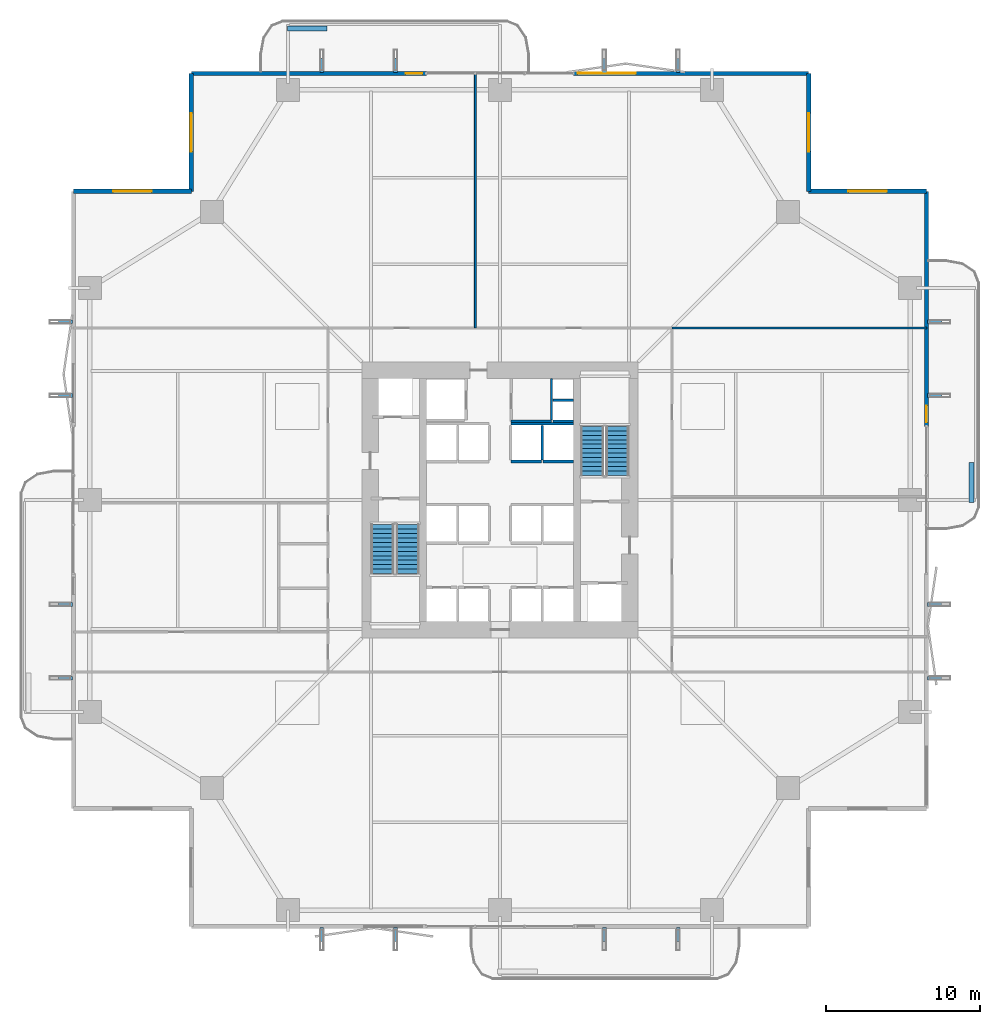
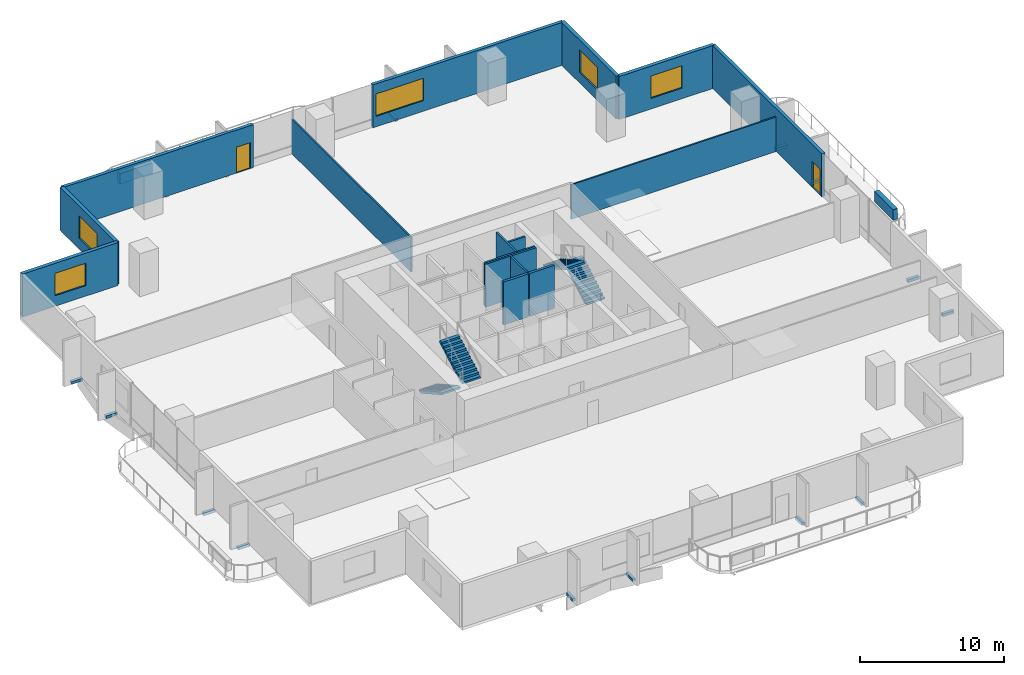
# One storey, part 19 of 23: 19 walls, 16 discrete accessories, 5 windows, 4 stair flights, 2 doors, 7 openings, 2 elements without a shape of their own.
"""IFC4 building model written with IfcOpenShell, lengths in metres."""

import ifcopenshell
import ifcopenshell.guid

model = None  # the IFC model being written
_history = None  # IfcOwnerHistory: only IFC2X3 demands one
_inside = {}  # id of a spatial element -> (the spatial element, [elements in it])
_under = {}  # id of a project, library or spatial element -> (it, [spatial elements below it])
_declared = {}  # id of a project -> (the project, [libraries it declares])
_typed = {}  # id of a type object -> (the type object, [elements of that type])
_made_of = {}  # id of a material, layer set ... -> (it, [elements and type objects made of it])


def new_model(schema):
    """Start an empty IFC model of exactly this schema.

    Asked for "IFC4X3", IfcOpenShell would pick the latest addendum, in which some entities
    have other attributes; the version numbers below select the first issue.
    IFC2X3 requires an IfcOwnerHistory on every rooted entity: one is made here for all.
    """
    global model, _history
    if schema == "IFC4X3":
        model = ifcopenshell.file(schema_version=(4, 3, 0, 0))
    else:
        model = ifcopenshell.file(schema=schema)
    _inside.clear()
    _under.clear()
    _declared.clear()
    _typed.clear()
    _made_of.clear()
    _history = None
    if model.schema == "IFC2X3":
        org = make("IfcOrganization", Name="unknown")
        user = make(
            "IfcPersonAndOrganization",
            ThePerson=make("IfcPerson", FamilyName="unknown"),
            TheOrganization=org,
        )
        app = make(
            "IfcApplication",
            ApplicationDeveloper=org,
            Version="unknown",
            ApplicationFullName="unknown",
            ApplicationIdentifier="unknown",
        )
        _history = make(
            "IfcOwnerHistory",
            OwningUser=user,
            OwningApplication=app,
            ChangeAction="ADDED",
            CreationDate=0,
        )
    return model


def make(cls, **values):
    """One entity of the class cls with the attributes given. An attribute that is None is left unset."""
    return model.create_entity(
        cls, **{name: value for name, value in values.items() if value is not None}
    )


def rooted(cls, **values):
    """An entity with a GlobalId (a new one), such as an element, a storey or a relation."""
    return make(cls, GlobalId=ifcopenshell.guid.new(), OwnerHistory=_history, **values)


def si_unit(unit_type, name, prefix=None):
    """IfcSIUnit, for example si_unit("LENGTHUNIT", "METRE", prefix="MILLI")."""
    return make("IfcSIUnit", UnitType=unit_type, Prefix=prefix, Name=name)


def assignment(units):
    """IfcUnitAssignment: the units of a project."""
    return None if units is None else make("IfcUnitAssignment", Units=units)


def point(xyz):
    """IfcCartesianPoint."""
    return None if xyz is None else make("IfcCartesianPoint", Coordinates=xyz)


def direction(xyz):
    """IfcDirection."""
    return None if xyz is None else make("IfcDirection", DirectionRatios=xyz)


def frame(location, z_axis=None, x_axis=None):
    """IfcAxis2Placement3D, a coordinate frame: its origin and axes. An axis left out is left unset."""
    return make(
        "IfcAxis2Placement3D",
        Location=point(location),
        Axis=direction(z_axis),
        RefDirection=direction(x_axis),
    )


def frame_2d(location, x_axis=None):
    """IfcAxis2Placement2D, a coordinate frame in the plane: its origin and x axis."""
    return make(
        "IfcAxis2Placement2D", Location=point(location), RefDirection=direction(x_axis)
    )


def origin():
    """The frame at (0, 0, 0) with its axes left unset."""
    return frame((0.0, 0.0, 0.0))


def origin_2d():
    """The frame at (0, 0) in the plane with its x axis left unset."""
    return frame_2d((0.0, 0.0))


def place(relative_to, where):
    """IfcLocalPlacement: puts the frame where relative to a parent placement (None: the world)."""
    return make(
        "IfcLocalPlacement", PlacementRelTo=relative_to, RelativePlacement=where
    )


def context(
    kind, dimensions, precision=None, world=None, true_north=None, identifier=None
):
    """IfcGeometricRepresentationContext, for example the 3D "Model" context."""
    return make(
        "IfcGeometricRepresentationContext",
        ContextIdentifier=identifier,
        ContextType=kind,
        CoordinateSpaceDimension=dimensions,
        Precision=precision,
        WorldCoordinateSystem=world,
        TrueNorth=true_north,
    )


def subcontext(parent, identifier, kind, view, scale=None):
    """IfcGeometricRepresentationSubContext, for example "Body" below "Model"."""
    return make(
        "IfcGeometricRepresentationSubContext",
        ContextIdentifier=identifier,
        ContextType=kind,
        ParentContext=parent,
        TargetScale=scale,
        TargetView=view,
    )


def project(units=None, contexts=None):
    """IfcProject with its units and contexts."""
    return rooted(
        "IfcProject",
        Name="project",
        RepresentationContexts=contexts,
        UnitsInContext=assignment(units),
    )


def spatial(cls, under=None, at=None, **own):
    """A site, building, storey or space (cls), placed at a placement, below another one or the project."""
    s = rooted(cls, ObjectPlacement=at, **own)
    if under is not None:
        _under.setdefault(under.id(), (under, []))[1].append(s)
    return s


def polyline(points):
    """IfcPolyline through the points."""
    return make("IfcPolyline", Points=[point(p) for p in points])


def profile(cls, at=None, kind="AREA", **sizes):
    """A parametric profile (cls). Its sizes go by their IFC names, for example OverallWidth=200.0."""
    return make(cls, ProfileType=kind, Position=at, **sizes)


def rectangle(**sizes):
    """IfcRectangleProfileDef."""
    return profile("IfcRectangleProfileDef", **sizes)


def outline(outer, holes=None, kind="AREA"):
    """IfcArbitraryClosedProfileDef: a profile drawn as a closed curve; with holes, ...WithVoids."""
    if holes is None:
        return make("IfcArbitraryClosedProfileDef", ProfileType=kind, OuterCurve=outer)
    return make(
        "IfcArbitraryProfileDefWithVoids",
        ProfileType=kind,
        OuterCurve=outer,
        InnerCurves=holes,
    )


def extrude(swept, where, along, depth):
    """IfcExtrudedAreaSolid: the profile swept, set in the frame where, extruded along a direction by depth."""
    return make(
        "IfcExtrudedAreaSolid",
        SweptArea=swept,
        Position=where,
        ExtrudedDirection=direction(along),
        Depth=depth,
    )


def shape(context_of_items, identifier, shape_type, items):
    """IfcShapeRepresentation: the items that make up one representation, for example the "Body"."""
    return make(
        "IfcShapeRepresentation",
        ContextOfItems=context_of_items,
        RepresentationIdentifier=identifier,
        RepresentationType=shape_type,
        Items=items,
    )


def material(Name=None, Category=None):
    """IfcMaterial."""
    return make("IfcMaterial", Name=Name, Category=Category)


def layer(
    of_material, thickness, ventilated=None, Name=None, Category=None, Priority=None
):
    """IfcMaterialLayer: one layer of a wall or slab, of a material (None: an air gap)."""
    return make(
        "IfcMaterialLayer",
        Material=of_material,
        LayerThickness=thickness,
        IsVentilated=ventilated,
        Name=Name,
        Category=Category,
        Priority=Priority,
    )


def layer_set(layers, Name=None):
    """IfcMaterialLayerSet."""
    return make("IfcMaterialLayerSet", MaterialLayers=layers, LayerSetName=Name)


def made_of(thing, what):
    """Note that an element or type object is made of a material, layer set ...; save() writes the relation."""
    if what is not None:
        _made_of.setdefault(what.id(), (what, []))[1].append(thing)
    return thing


def type_object(cls, material=None, **own):
    """A type object (cls), such as IfcWallType, which elements share."""
    return made_of(rooted(cls, **own), material)


def element(
    cls,
    number,
    at=None,
    inside=None,
    cuts=None,
    type_object=None,
    material=None,
    context=None,
    identifier="Body",
    shape_type=None,
    held_by="IfcProductDefinitionShape",
    body=None,
    shapes=None,
    **own,
):
    """One element of the class cls, such as IfcWall. Its Tag is "e" and its number.

    at: its placement. inside: the storey or other place that contains it. cuts: it is an
    opening in that element (IfcRelVoidsElement). A single representation is given by context,
    identifier, shape_type and body (its items); several are given by shapes. held_by: the class
    of the entity that holds the representations. save() writes the other relations.
    """
    e = rooted(cls, Tag="e%d" % number, ObjectPlacement=at, **own)
    if body is not None:
        shapes = [shape(context, identifier, shape_type, body)]
    if shapes is not None:
        e.Representation = make(held_by, Representations=shapes)
    if inside is not None:
        _inside.setdefault(inside.id(), (inside, []))[1].append(e)
    if cuts is not None:
        rooted(
            "IfcRelVoidsElement", RelatingBuildingElement=cuts, RelatedOpeningElement=e
        )
    if type_object is not None:
        _typed.setdefault(type_object.id(), (type_object, []))[1].append(e)
    return made_of(e, material)


def fill(opening, filler):
    """IfcRelFillsElement: the door or window that sits in an opening."""
    return rooted(
        "IfcRelFillsElement",
        RelatingOpeningElement=opening,
        RelatedBuildingElement=filler,
    )


def aggregate(whole, parts):
    """IfcRelAggregates: a whole, such as a stair, and the parts it consists of."""
    return rooted("IfcRelAggregates", RelatingObject=whole, RelatedObjects=parts)


def save(model, path):
    """Write the relations noted so far, then the file.

    IfcRelAggregates (storeys below a building ...), IfcRelContainedInSpatialStructure (elements
    in a storey), IfcRelDefinesByType, IfcRelAssociatesMaterial and IfcRelDeclares: one each for
    every whole, place, type object, material and project.
    """
    for whole, parts in _under.values():
        aggregate(whole, parts)
    for where, things in _inside.values():
        rooted(
            "IfcRelContainedInSpatialStructure",
            RelatedElements=things,
            RelatingStructure=where,
        )
    for kind, things in _typed.values():
        rooted("IfcRelDefinesByType", RelatedObjects=things, RelatingType=kind)
    for what, things in _made_of.values():
        rooted("IfcRelAssociatesMaterial", RelatedObjects=things, RelatingMaterial=what)
    for by, libraries in _declared.values():
        rooted("IfcRelDeclares", RelatingContext=by, RelatedDefinitions=libraries)
    model.write(path)


model = new_model("IFC4")

# Units and contexts
model_context = context("Model", 3, precision=1e-05, world=origin(), true_north=direction((0.0, 1.0)))
body_context = subcontext(model_context, "Body", "Model", "MODEL_VIEW")
ifc_project = project(units=[si_unit("LENGTHUNIT", "METRE"), si_unit("AREAUNIT", "SQUARE_METRE"), si_unit("VOLUMEUNIT", "CUBIC_METRE"), si_unit("PLANEANGLEUNIT", "RADIAN"), si_unit("MASSUNIT", "GRAM", prefix="KILO")], contexts=[model_context])

# Site, building, storey
site_placement = place(None, origin())
site = spatial("IfcSite", under=ifc_project, at=site_placement, CompositionType="ELEMENT")
building_placement = place(site_placement, origin())
building = spatial("IfcBuilding", under=site, at=building_placement, Name="Belovzor Exchange Tower", CompositionType="ELEMENT")
storey_placement = place(building_placement, frame((0.0, 0.0, 84.60009765625)))
storey = spatial("IfcBuildingStorey", under=building, at=storey_placement, Name="L20", CompositionType="ELEMENT", Elevation=84.60009765625)

# Walls
ifc_material_1 = material(Name="Acoustic Plasterboard on Galvanised Studs", Category="gypsum")
ifc_layer_1 = layer(ifc_material_1, 0.1201171875)
ifc_layer_set_1 = layer_set([ifc_layer_1], Name="Acoustic Plasterboard on Galvanised Studs")
wall_type_1 = type_object("IfcWallType", Name="Acoustic Double-Stud Partition Wall 120", PredefinedType="PARTITIONING", material=ifc_layer_set_1)
for number, where, z_axis, x_axis, name in (
    (1, (27.197998046875, 40.0, 0.0), (0.0, 0.0, 1.0), (0.0, 1.0, 0.0), "W-P120 Partition Wall W-L20-NDIV-1"),
    (2, (40.0, 40.0, 0.0), (0.0, 0.0, 1.0), (1.0, 0.0, 0.0), "W-P120 Partition Wall W-L20-END-NE"),
):
    element("IfcWall", number, at=place(storey_placement, frame(where, z_axis=z_axis, x_axis=x_axis)), inside=storey, type_object=wall_type_1, Name=name, PredefinedType="PARTITIONING", context=body_context, shape_type="SweptSolid", body=[
        extrude(rectangle(XDim=16.570068359375, YDim=0.1201171875, at=frame_2d((8.28515625, 0.0))), origin(), (0.0, 0.0, 1.0), 2.934814453125),
    ])
ifc_material_2 = material(Name="Fire-Rated Gypsum Block and Mineral Wool", Category="gypsum")
ifc_layer_2 = layer(ifc_material_2, 0.14990234375)
ifc_layer_set_2 = layer_set([ifc_layer_2], Name="Fire-Rated Gypsum Block and Mineral Wool")
wall_type_2 = type_object("IfcWallType", Name="Fire-Rated Gypsum Block Corridor Wall 150", PredefinedType="PARTITIONING", material=ifc_layer_set_2)
wall_1_placement = place(storey_placement, frame((29.52490234375, 33.925048828125, 0.0), z_axis=(0.0, 0.0, 1.0), x_axis=(1.0, 0.0, 0.0)))
element("IfcWall", 3, at=wall_1_placement, inside=storey, type_object=wall_type_2, Name="W-P150 Partition Wall W-CRV-L20-S", PredefinedType="PARTITIONING", context=body_context, shape_type="SweptSolid", body=[
    extrude(rectangle(XDim=2.625, YDim=0.14990234375, at=frame_2d((1.3125, 0.0))), origin(), (0.0, 0.0, 1.0), 3.64990234375),
])

# Wall, opening, window
ifc_material_3 = material(Name="Precast concrete C40/50", Category="concrete")
ifc_layer_3 = layer(ifc_material_3, 0.280029296875)
ifc_layer_set_3 = layer_set([ifc_layer_3], Name="Precast concrete C40/50")
wall_type_3 = type_object("IfcWallType", Name="Precast Concrete Notched Corner Frame Wall 280", PredefinedType="SOLIDWALL", material=ifc_layer_set_3)
wall_2_placement = place(storey_placement, frame((1.030029296875, 48.89990234375, 0.0), z_axis=(0.0, 0.0, 1.0), x_axis=(1.0, 0.0, 0.0)))
wall_2 = element("IfcWall", 4, at=wall_2_placement, inside=storey, type_object=wall_type_3, Name="W-CRN280 Precast Concrete Notched Corner Frame Wall 280 L20", PredefinedType="SOLIDWALL", context=body_context, shape_type="SweptSolid", body=[
    extrude(rectangle(XDim=7.669921875, YDim=0.280029296875, at=frame_2d((3.8349609375, 0.0))), origin(), (0.0, 0.0, 1.0), 3.64990234375),
])
opening_1_placement = place(wall_2_placement, frame((2.5849609375, 0.0, 0.89990234375)))
opening_1 = element("IfcOpeningElement", 5, at=opening_1_placement, cuts=wall_2, Name="Opening WN-CRN250", PredefinedType="OPENING", context=body_context, shape_type="SweptSolid", body=[
    extrude(rectangle(XDim=2.5, YDim=1.89990234375, at=frame_2d((1.25, 0.949951171875))), frame((0.0, 0.14990234375, 0.0), z_axis=(0.0, -1.0, 0.0), x_axis=(1.0, 0.0, 0.0)), (0.0, 0.0, 1.0), 0.300048828125),
])
ifc_material_4 = material(Name="Thermally Broken Aluminium and Triple Glazing", Category="aluminium")
window_type_1 = type_object("IfcWindowType", Name="Streamline Moderne Corner Wrap Ribbon Window 2500x1900", PartitioningType="SINGLE_PANEL", PredefinedType="WINDOW", material=ifc_material_4)
window_1_placement = place(opening_1_placement, origin())
window_1 = element("IfcWindow", 6, at=window_1_placement, inside=storey, type_object=window_type_1, Name="WN-CRN250 Streamline Moderne Corner Wrap Ribbon Window 2500x1900", OverallHeight=1.89990234375, OverallWidth=2.5, PartitioningType="SINGLE_PANEL", PredefinedType="WINDOW", context=body_context, shape_type="SweptSolid", body=[
    extrude(rectangle(XDim=2.5, YDim=1.89990234375, at=frame_2d((1.25, 0.949951171875))), frame((0.0, 0.030029296875, 0.0), z_axis=(0.0, -1.0, 0.0), x_axis=(1.0, 0.0, 0.0)), (0.0, 0.0, 1.0), 0.06005859375),
])
fill(opening_1, window_1)

wall_3_placement = place(storey_placement, frame((8.699951171875, 48.89990234375, 0.0), z_axis=(0.0, 0.0, 1.0), x_axis=(0.0, 1.0, 0.0)))
wall_3 = element("IfcWall", 7, at=wall_3_placement, inside=storey, type_object=wall_type_3, Name="W-CRN280 Precast Concrete Notched Corner Frame Wall 280 L20", PredefinedType="SOLIDWALL", context=body_context, shape_type="SweptSolid", body=[
    extrude(rectangle(XDim=7.670166015625, YDim=0.280029296875, at=frame_2d((3.8349609375, 0.0))), origin(), (0.0, 0.0, 1.0), 3.64990234375),
])
opening_2_placement = place(wall_3_placement, frame((2.5849609375, 0.0, 0.89990234375)))
opening_2 = element("IfcOpeningElement", 8, at=opening_2_placement, cuts=wall_3, Name="Opening WN-CRN250", PredefinedType="OPENING", context=body_context, shape_type="SweptSolid", body=[
    extrude(rectangle(XDim=2.5, YDim=1.89990234375, at=frame_2d((1.25, 0.949951171875))), frame((0.0, 0.14990234375, 0.0), z_axis=(0.0, -1.0, 0.0), x_axis=(1.0, 0.0, 0.0)), (0.0, 0.0, 1.0), 0.300048828125),
])
window_2_placement = place(opening_2_placement, origin())
window_2 = element("IfcWindow", 9, at=window_2_placement, inside=storey, type_object=window_type_1, Name="WN-CRN250 Streamline Moderne Corner Wrap Ribbon Window 2500x1900", OverallHeight=1.89990234375, OverallWidth=2.5, PartitioningType="SINGLE_PANEL", PredefinedType="WINDOW", context=body_context, shape_type="SweptSolid", body=[
    extrude(rectangle(XDim=2.5, YDim=1.89990234375, at=frame_2d((1.25, 0.949951171875))), frame((0.0, 0.030029296875, 0.0), z_axis=(0.0, -1.0, 0.0), x_axis=(1.0, 0.0, 0.0)), (0.0, 0.0, 1.0), 0.06005859375),
])
fill(opening_2, window_2)

wall_4_placement = place(storey_placement, frame((48.89990234375, 56.570068359375, 0.0), z_axis=(0.0, 0.0, 1.0), x_axis=(0.0, -1.0, 0.0)))
wall_4 = element("IfcWall", 10, at=wall_4_placement, inside=storey, type_object=wall_type_3, Name="W-CRN280 Precast Concrete Notched Corner Frame Wall 280 L20", PredefinedType="SOLIDWALL", context=body_context, shape_type="SweptSolid", body=[
    extrude(rectangle(XDim=7.670166015625, YDim=0.280029296875, at=frame_2d((3.8349609375, 0.0))), origin(), (0.0, 0.0, 1.0), 3.64990234375),
])
opening_3_placement = place(wall_4_placement, frame((2.5849609375, 0.0, 0.89990234375)))
opening_3 = element("IfcOpeningElement", 11, at=opening_3_placement, cuts=wall_4, Name="Opening WN-CRN250", PredefinedType="OPENING", context=body_context, shape_type="SweptSolid", body=[
    extrude(rectangle(XDim=2.5, YDim=1.89990234375, at=frame_2d((1.25, 0.949951171875))), frame((0.0, 0.14990234375, 0.0), z_axis=(0.0, -1.0, 0.0), x_axis=(1.0, 0.0, 0.0)), (0.0, 0.0, 1.0), 0.300048828125),
])
window_3_placement = place(opening_3_placement, origin())
window_3 = element("IfcWindow", 12, at=window_3_placement, inside=storey, type_object=window_type_1, Name="WN-CRN250 Streamline Moderne Corner Wrap Ribbon Window 2500x1900", OverallHeight=1.89990234375, OverallWidth=2.5, PartitioningType="SINGLE_PANEL", PredefinedType="WINDOW", context=body_context, shape_type="SweptSolid", body=[
    extrude(rectangle(XDim=2.5, YDim=1.89990234375, at=frame_2d((1.25, 0.949951171875))), frame((0.0, 0.030029296875, 0.0), z_axis=(0.0, -1.0, 0.0), x_axis=(1.0, 0.0, 0.0)), (0.0, 0.0, 1.0), 0.06005859375),
])
fill(opening_3, window_3)

wall_5_placement = place(storey_placement, frame((48.89990234375, 48.89990234375, 0.0), z_axis=(0.0, 0.0, 1.0), x_axis=(1.0, 0.0, 0.0)))
wall_5 = element("IfcWall", 13, at=wall_5_placement, inside=storey, type_object=wall_type_3, Name="W-CRN280 Precast Concrete Notched Corner Frame Wall 280 L20", PredefinedType="SOLIDWALL", context=body_context, shape_type="SweptSolid", body=[
    extrude(rectangle(XDim=7.670166015625, YDim=0.280029296875, at=frame_2d((3.8349609375, 0.0))), origin(), (0.0, 0.0, 1.0), 3.64990234375),
])
opening_4_placement = place(wall_5_placement, frame((2.5849609375, 0.0, 0.89990234375)))
opening_4 = element("IfcOpeningElement", 14, at=opening_4_placement, cuts=wall_5, Name="Opening WN-CRN250", PredefinedType="OPENING", context=body_context, shape_type="SweptSolid", body=[
    extrude(rectangle(XDim=2.5, YDim=1.89990234375, at=frame_2d((1.25, 0.949951171875))), frame((0.0, 0.14990234375, 0.0), z_axis=(0.0, -1.0, 0.0), x_axis=(1.0, 0.0, 0.0)), (0.0, 0.0, 1.0), 0.300048828125),
])
window_4_placement = place(opening_4_placement, origin())
window_4 = element("IfcWindow", 15, at=window_4_placement, inside=storey, type_object=window_type_1, Name="WN-CRN250 Streamline Moderne Corner Wrap Ribbon Window 2500x1900", OverallHeight=1.89990234375, OverallWidth=2.5, PartitioningType="SINGLE_PANEL", PredefinedType="WINDOW", context=body_context, shape_type="SweptSolid", body=[
    extrude(rectangle(XDim=2.5, YDim=1.89990234375, at=frame_2d((1.25, 0.949951171875))), frame((0.0, 0.030029296875, 0.0), z_axis=(0.0, -1.0, 0.0), x_axis=(1.0, 0.0, 0.0)), (0.0, 0.0, 1.0), 0.06005859375),
])
fill(opening_4, window_4)

# Wall, opening, door
ifc_material_5 = material(Name="Precast concrete C40/50", Category="concrete")
ifc_layer_4 = layer(ifc_material_5, 0.260009765625)
ifc_layer_set_4 = layer_set([ifc_layer_4], Name="Precast concrete C40/50")
wall_type_4 = type_object("IfcWallType", Name="Precast Concrete Perimeter Loggia Frame Wall 260", PredefinedType="SOLIDWALL", material=ifc_layer_set_4)
wall_6_placement = place(storey_placement, frame((8.699951171875, 56.570068359375, 0.0), z_axis=(0.0, 0.0, 1.0), x_axis=(1.0, 0.0, 0.0)))
wall_6 = element("IfcWall", 16, at=wall_6_placement, inside=storey, type_object=wall_type_4, Name="W-EXT260 Precast Concrete Perimeter Loggia Frame Wall 260 L20", PredefinedType="SOLIDWALL", context=body_context, shape_type="SweptSolid", body=[
    extrude(rectangle(XDim=15.300048828125, YDim=0.260009765625, at=frame_2d((7.64990234375, 0.0))), origin(), (0.0, 0.0, 1.0), 3.64990234375),
])
opening_5_placement = place(wall_6_placement, frame((13.949951171875, 0.0, 0.0)))
opening_5 = element("IfcOpeningElement", 17, at=opening_5_placement, cuts=wall_6, Name="Opening D-BAL110", PredefinedType="OPENING", context=body_context, shape_type="SweptSolid", body=[
    extrude(rectangle(XDim=1.10009765625, YDim=2.199951171875, at=frame_2d((0.550048828125, 1.10009765625))), frame((0.0, 0.139892578125, 0.0), z_axis=(0.0, -1.0, 0.0), x_axis=(1.0, 0.0, 0.0)), (0.0, 0.0, 1.0), 0.280029296875),
])
ifc_material_6 = material(Name="Thermally Broken Anodised Aluminium and Laminated Glass", Category="aluminium")
door_type = type_object("IfcDoorType", Name="Planted Loggia Terrace Glazed Door 1100x2200", OperationType="SINGLE_SWING_LEFT", PredefinedType="DOOR", material=ifc_material_6)
door_1_placement = place(opening_5_placement, origin())
door_1 = element("IfcDoor", 18, at=door_1_placement, inside=storey, type_object=door_type, Name="D-BAL110 Balcony Terrace Door L20 N", OperationType="SINGLE_SWING_RIGHT", OverallHeight=2.199951171875, OverallWidth=1.10009765625, PredefinedType="DOOR", context=body_context, shape_type="SweptSolid", body=[
    extrude(rectangle(XDim=1.10009765625, YDim=2.199951171875, at=frame_2d((0.550048828125, 1.10009765625))), frame((0.0, 0.02490234375, 0.0), z_axis=(0.0, -1.0, 0.0), x_axis=(1.0, 0.0, 0.0)), (0.0, 0.0, 1.0), 0.050048828125),
])
fill(opening_5, door_1)

# Wall, opening, window
wall_7_placement = place(storey_placement, frame((33.60009765625, 56.570068359375, 0.0), z_axis=(0.0, 0.0, 1.0), x_axis=(1.0, 0.0, 0.0)))
wall_7 = element("IfcWall", 19, at=wall_7_placement, inside=storey, type_object=wall_type_4, Name="W-EXT260 Precast Concrete Perimeter Loggia Frame Wall 260 L20", PredefinedType="SOLIDWALL", context=body_context, shape_type="SweptSolid", body=[
    extrude(rectangle(XDim=15.2998046875, YDim=0.260009765625, at=frame_2d((7.64990234375, 0.0))), origin(), (0.0, 0.0, 1.0), 3.64990234375),
])
opening_6_placement = place(wall_7_placement, frame((0.25, 0.0, 0.89990234375)))
opening_6 = element("IfcOpeningElement", 20, at=opening_6_placement, cuts=wall_7, Name="Opening WN-RIB380", PredefinedType="OPENING", context=body_context, shape_type="SweptSolid", body=[
    extrude(rectangle(XDim=3.800048828125, YDim=1.89990234375, at=frame_2d((1.89990234375, 0.949951171875))), frame((0.0, 0.139892578125, 0.0), z_axis=(0.0, -1.0, 0.0), x_axis=(1.0, 0.0, 0.0)), (0.0, 0.0, 1.0), 0.280029296875),
])
ifc_material_7 = material(Name="Thermally Broken Aluminium and Triple Glazing", Category="aluminium")
window_type_2 = type_object("IfcWindowType", Name="Streamline Moderne Horizontal Ribbon Window 3800x1900", PartitioningType="SINGLE_PANEL", PredefinedType="WINDOW", material=ifc_material_7)
window_5_placement = place(opening_6_placement, origin())
window_5 = element("IfcWindow", 21, at=window_5_placement, inside=storey, type_object=window_type_2, Name="WN-RIB380 Streamline Moderne Horizontal Ribbon Window 3800x1900", OverallHeight=1.89990234375, OverallWidth=3.800048828125, PartitioningType="SINGLE_PANEL", PredefinedType="WINDOW", context=body_context, shape_type="SweptSolid", body=[
    extrude(rectangle(XDim=3.800048828125, YDim=1.89990234375, at=frame_2d((1.89990234375, 0.949951171875))), frame((0.0, 0.030029296875, 0.0), z_axis=(0.0, -1.0, 0.0), x_axis=(1.0, 0.0, 0.0)), (0.0, 0.0, 1.0), 0.06005859375),
])
fill(opening_6, window_5)

# Wall, opening, door
wall_8_placement = place(storey_placement, frame((56.570068359375, 48.89990234375, 0.0), z_axis=(0.0, 0.0, 1.0), x_axis=(0.0, -1.0, 0.0)))
wall_8 = element("IfcWall", 22, at=wall_8_placement, inside=storey, type_object=wall_type_4, Name="W-EXT260 Precast Concrete Perimeter Loggia Frame Wall 260 L20", PredefinedType="SOLIDWALL", context=body_context, shape_type="SweptSolid", body=[
    extrude(rectangle(XDim=15.2998046875, YDim=0.260009765625, at=frame_2d((7.64990234375, 0.0))), origin(), (0.0, 0.0, 1.0), 3.64990234375),
])
opening_7_placement = place(wall_8_placement, frame((13.949951171875, 0.0, 0.0)))
opening_7 = element("IfcOpeningElement", 23, at=opening_7_placement, cuts=wall_8, Name="Opening D-BAL110", PredefinedType="OPENING", context=body_context, shape_type="SweptSolid", body=[
    extrude(rectangle(XDim=1.10009765625, YDim=2.199951171875, at=frame_2d((0.550048828125, 1.10009765625))), frame((0.0, 0.139892578125, 0.0), z_axis=(0.0, -1.0, 0.0), x_axis=(1.0, 0.0, 0.0)), (0.0, 0.0, 1.0), 0.280029296875),
])
door_2_placement = place(opening_7_placement, origin())
door_2 = element("IfcDoor", 24, at=door_2_placement, inside=storey, type_object=door_type, Name="D-BAL110 Balcony Terrace Door L20 E", OperationType="SINGLE_SWING_LEFT", OverallHeight=2.199951171875, OverallWidth=1.10009765625, PredefinedType="DOOR", context=body_context, shape_type="SweptSolid", body=[
    extrude(rectangle(XDim=1.10009765625, YDim=2.199951171875, at=frame_2d((0.550048828125, 1.10009765625))), frame((0.0, 0.02490234375, 0.0), z_axis=(0.0, -1.0, 0.0), x_axis=(1.0, 0.0, 0.0)), (0.0, 0.0, 1.0), 0.050048828125),
])
fill(opening_7, door_2)

# Walls
ifc_material_8 = material(Name="Precast concrete C40/50", Category="concrete")
ifc_layer_5 = layer(ifc_material_8, 0.35009765625)
ifc_layer_set_5 = layer_set([ifc_layer_5], Name="Precast concrete C40/50")
wall_type_5 = type_object("IfcWallType", Name="Precast Concrete Structural Tree Planter Trough 350", PredefinedType="PARAPET", material=ifc_layer_set_5)
for number, where, z_axis, x_axis, name in (
    (25, (14.949951171875, 59.5, 0.0), (0.0, 0.0, 1.0), (1.0, 0.0, 0.0), "PT-350 Precast Concrete Structural Tree Planter Trough 350 L20"),
    (26, (59.5, 28.64990234375, 0.0), (0.0, 0.0, 1.0), (0.0, 1.0, 0.0), "PT-350 Precast Concrete Structural Tree Planter Trough 350 L20"),
):
    element("IfcWall", number, at=place(storey_placement, frame(where, z_axis=z_axis, x_axis=x_axis)), inside=storey, type_object=wall_type_5, Name=name, PredefinedType="PARAPET", context=body_context, shape_type="SweptSolid", body=[
        extrude(rectangle(XDim=2.60009765625, YDim=0.35009765625, at=frame_2d((1.300048828125, 0.0))), origin(), (0.0, 0.0, 1.0), 0.89990234375),
    ])
ifc_material_9 = material(Name="Concrete C50/60", Category="concrete")
ifc_layer_6 = layer(ifc_material_9, 0.14990234375)
ifc_layer_set_6 = layer_set([ifc_layer_6], Name="Concrete C50/60")
wall_type_6 = type_object("IfcWallType", Name="Reinforced Concrete Core Riser Shear Wall 150", PredefinedType="SHEAR", material=ifc_layer_set_6)
wall_9_placement = place(storey_placement, frame((32.14990234375, 34.0, 0.0), z_axis=(0.0, 0.0, 1.0), x_axis=(0.0, 1.0, 0.0)))
element("IfcWall", 27, at=wall_9_placement, inside=storey, type_object=wall_type_6, Name="W-C150S Core Shaft Wall W-RSR-L20-E", PredefinedType="SHEAR", context=body_context, shape_type="SweptSolid", body=[
    extrude(rectangle(XDim=2.699951171875, YDim=0.14990234375, at=frame_2d((1.35009765625, 0.0))), origin(), (0.0, 0.0, 1.0), 3.64990234375),
])
for number, where, z_axis, x_axis, name in (
    (28, (32.25, 33.925048828125, 0.0), (0.0, 0.0, 1.0), (1.0, 0.0, 0.0), "W-C150S Core Shaft Wall W-RSR-L20-S"),
    (29, (32.25, 35.300048828125, 0.0), (0.0, 0.0, 1.0), (1.0, 0.0, 0.0), "W-C150S Core Shaft Wall W-RSR-L20-M"),
):
    element("IfcWall", number, at=place(storey_placement, frame(where, z_axis=z_axis, x_axis=x_axis)), inside=storey, type_object=wall_type_6, Name=name, PredefinedType="SHEAR", context=body_context, shape_type="SweptSolid", body=[
        extrude(rectangle(XDim=1.330078125, YDim=0.14990234375, at=frame_2d((0.6650390625, 0.0))), origin(), (0.0, 0.0, 1.0), 3.64990234375),
    ])
wall_10_placement = place(storey_placement, frame((29.5, 33.760009765625, 0.0), z_axis=(0.0, 0.0, 1.0), x_axis=(1.0, 0.0, 0.0)))
element("IfcWall", 30, at=wall_10_placement, inside=storey, type_object=wall_type_6, Name="W-C150S Core Shaft Wall W-SHB-L20-PLH-NE", PredefinedType="SHEAR", context=body_context, shape_type="SweptSolid", body=[
    extrude(rectangle(XDim=4.080078125, YDim=0.14990234375, at=frame_2d((2.0400390625, 0.0))), origin(), (0.0, 0.0, 1.0), 3.64990234375),
])
wall_11_placement = place(storey_placement, frame((31.550048828125, 31.419921875, 0.0), z_axis=(0.0, 0.0, 1.0), x_axis=(0.0, 1.0, 0.0)))
element("IfcWall", 31, at=wall_11_placement, inside=storey, type_object=wall_type_6, Name="W-C150S Core Shaft Wall W-SHD-L20-PLH-4", PredefinedType="SHEAR", context=body_context, shape_type="SweptSolid", body=[
    extrude(rectangle(XDim=2.239990234375, YDim=0.14990234375, at=frame_2d((1.1201171875, 0.0))), origin(), (0.0, 0.0, 1.0), 3.64990234375),
])
ifc_material_10 = material(Name="Concrete C50/60", Category="concrete")
ifc_layer_7 = layer(ifc_material_10, 0.199951171875)
ifc_layer_set_7 = layer_set([ifc_layer_7], Name="Concrete C50/60")
wall_type_7 = type_object("IfcWallType", Name="Reinforced Concrete Core Shaft Shear Wall 200", PredefinedType="SHEAR", material=ifc_layer_set_7)
for number, where, z_axis, x_axis, name in (
    (32, (29.5, 31.300048828125, 0.0), (0.0, 0.0, 1.0), (1.0, 0.0, 0.0), "W-C200S Core Shaft Wall W-SH-L20-PL-H3"),
    (33, (31.60009765625, 31.300048828125, 0.0), (0.0, 0.0, 1.0), (1.0, 0.0, 0.0), "W-C200S Core Shaft Wall W-SH-L20-PL-H4"),
):
    element("IfcWall", number, at=place(storey_placement, frame(where, z_axis=z_axis, x_axis=x_axis)), inside=storey, type_object=wall_type_7, Name=name, PredefinedType="SHEAR", context=body_context, shape_type="SweptSolid", body=[
        extrude(rectangle(XDim=2.0, YDim=0.199951171875, at=frame_2d((1.0, 0.0))), origin(), (0.0, 0.0, 1.0), 3.64990234375),
    ])

# Stair, stair flights
ifc_material_11 = material(Name="Concrete C40/50", Category="concrete")
stair_type = type_object("IfcStairType", Name="Reinforced Concrete Dogleg Escape Stair 1350", PredefinedType="HALF_TURN_STAIR", material=ifc_material_11)
stair_1_placement = place(storey_placement, origin())
stair_1 = element("IfcStair", 34, at=stair_1_placement, inside=storey, type_object=stair_type, Name="L20 ST-1", PredefinedType="HALF_TURN_STAIR")
ifc_material_12 = material(Name="Concrete C40/50", Category="concrete")
stair_flight_type = type_object("IfcStairFlightType", Name="Reinforced Concrete Stair Flight 1350", PredefinedType="STRAIGHT", material=ifc_material_12)
stair_flight_1_placement = place(storey_placement, frame((21.14990234375, 27.199951171875, 0.0), z_axis=(0.0, 0.0, 1.0), x_axis=(0.0, -1.0, 0.0)))
stair_flight_1 = element("IfcStairFlight", 35, at=stair_flight_1_placement, type_object=stair_flight_type, Name="ST-1 flight 1", NumberOfRisers=12, NumberOfTreads=11, PredefinedType="STRAIGHT", RiserHeight=0.1625, TreadLength=0.29, context=body_context, shape_type="SweptSolid", body=[
    extrude(outline(polyline([(0.0, 0.0), (0.0, 0.16259765625), (0.2900390625, 0.16259765625), (0.2900390625, 0.324951171875), (0.580078125, 0.324951171875), (0.580078125, 0.487548828125), (0.8701171875, 0.487548828125), (0.8701171875, 0.64990234375), (1.159912109375, 0.64990234375), (1.159912109375, 0.8125), (1.449951171875, 0.8125), (1.449951171875, 0.97509765625), (1.739990234375, 0.97509765625), (1.739990234375, 1.137451171875), (2.030029296875, 1.137451171875), (2.030029296875, 1.300048828125), (2.320068359375, 1.300048828125), (2.320068359375, 1.46240234375), (2.610107421875, 1.46240234375), (2.610107421875, 1.625), (2.89990234375, 1.625), (2.89990234375, 1.78759765625), (3.18994140625, 1.78759765625), (3.18994140625, 1.949951171875), (3.18994140625, 1.61572265625), (0.306640625, 0.0), (0.0, 0.0)])), frame((0.0, 0.75, 0.0), z_axis=(0.0, -1.0, 0.0), x_axis=(1.0, 0.0, 0.0)), (0.0, 0.0, 1.0), 1.5),
])
stair_flight_2_placement = place(storey_placement, frame((22.800048828125, 24.010009765625, 1.949951171875), z_axis=(0.0, 0.0, 1.0), x_axis=(0.0, 1.0, 0.0)))
stair_flight_2 = element("IfcStairFlight", 36, at=stair_flight_2_placement, type_object=stair_flight_type, Name="ST-1 flight 2", NumberOfRisers=12, NumberOfTreads=11, PredefinedType="STRAIGHT", RiserHeight=0.1625, TreadLength=0.29, context=body_context, shape_type="SweptSolid", body=[
    extrude(outline(polyline([(0.0, 0.0), (0.0, 0.16259765625), (0.2900390625, 0.16259765625), (0.2900390625, 0.324951171875), (0.580078125, 0.324951171875), (0.580078125, 0.487548828125), (0.8701171875, 0.487548828125), (0.8701171875, 0.64990234375), (1.159912109375, 0.64990234375), (1.159912109375, 0.8125), (1.449951171875, 0.8125), (1.449951171875, 0.97509765625), (1.739990234375, 0.97509765625), (1.739990234375, 1.137451171875), (2.030029296875, 1.137451171875), (2.030029296875, 1.300048828125), (2.320068359375, 1.300048828125), (2.320068359375, 1.46240234375), (2.610107421875, 1.46240234375), (2.610107421875, 1.625), (2.89990234375, 1.625), (2.89990234375, 1.78759765625), (3.18994140625, 1.78759765625), (3.18994140625, 1.949951171875), (3.18994140625, 1.61572265625), (0.306640625, 0.0), (0.0, 0.0)])), frame((0.0, 0.75, 0.0), z_axis=(0.0, -1.0, 0.0), x_axis=(1.0, 0.0, 0.0)), (0.0, 0.0, 1.0), 1.5),
])
aggregate(stair_1, [stair_flight_1, stair_flight_2])

stair_2_placement = place(storey_placement, origin())
stair_2 = element("IfcStair", 37, at=stair_2_placement, inside=storey, type_object=stair_type, Name="L20 ST-2", PredefinedType="HALF_TURN_STAIR")
stair_flight_3_placement = place(storey_placement, frame((36.449951171875, 30.39990234375, 0.0), z_axis=(0.0, 0.0, 1.0), x_axis=(0.0, 1.0, 0.0)))
stair_flight_3 = element("IfcStairFlight", 38, at=stair_flight_3_placement, type_object=stair_flight_type, Name="ST-2 flight 1", NumberOfRisers=12, NumberOfTreads=11, PredefinedType="STRAIGHT", RiserHeight=0.1625, TreadLength=0.29, context=body_context, shape_type="SweptSolid", body=[
    extrude(outline(polyline([(0.0, 0.0), (0.0, 0.16259765625), (0.2900390625, 0.16259765625), (0.2900390625, 0.324951171875), (0.580078125, 0.324951171875), (0.580078125, 0.487548828125), (0.8701171875, 0.487548828125), (0.8701171875, 0.64990234375), (1.159912109375, 0.64990234375), (1.159912109375, 0.8125), (1.449951171875, 0.8125), (1.449951171875, 0.97509765625), (1.739990234375, 0.97509765625), (1.739990234375, 1.137451171875), (2.030029296875, 1.137451171875), (2.030029296875, 1.300048828125), (2.320068359375, 1.300048828125), (2.320068359375, 1.46240234375), (2.610107421875, 1.46240234375), (2.610107421875, 1.625), (2.89990234375, 1.625), (2.89990234375, 1.78759765625), (3.18994140625, 1.78759765625), (3.18994140625, 1.949951171875), (3.18994140625, 1.61572265625), (0.306640625, 0.0), (0.0, 0.0)])), frame((0.0, 0.75, 0.0), z_axis=(0.0, -1.0, 0.0), x_axis=(1.0, 0.0, 0.0)), (0.0, 0.0, 1.0), 1.5),
])
stair_flight_4_placement = place(storey_placement, frame((34.800048828125, 33.590087890625, 1.949951171875), z_axis=(0.0, 0.0, 1.0), x_axis=(0.0, -1.0, 0.0)))
stair_flight_4 = element("IfcStairFlight", 39, at=stair_flight_4_placement, type_object=stair_flight_type, Name="ST-2 flight 2", NumberOfRisers=12, NumberOfTreads=11, PredefinedType="STRAIGHT", RiserHeight=0.1625, TreadLength=0.29, context=body_context, shape_type="SweptSolid", body=[
    extrude(outline(polyline([(0.0, 0.0), (0.0, 0.16259765625), (0.2900390625, 0.16259765625), (0.2900390625, 0.324951171875), (0.580078125, 0.324951171875), (0.580078125, 0.487548828125), (0.8701171875, 0.487548828125), (0.8701171875, 0.64990234375), (1.159912109375, 0.64990234375), (1.159912109375, 0.8125), (1.449951171875, 0.8125), (1.449951171875, 0.97509765625), (1.739990234375, 0.97509765625), (1.739990234375, 1.137451171875), (2.030029296875, 1.137451171875), (2.030029296875, 1.300048828125), (2.320068359375, 1.300048828125), (2.320068359375, 1.46240234375), (2.610107421875, 1.46240234375), (2.610107421875, 1.625), (2.89990234375, 1.625), (2.89990234375, 1.78759765625), (3.18994140625, 1.78759765625), (3.18994140625, 1.949951171875), (3.18994140625, 1.61572265625), (0.306640625, 0.0), (0.0, 0.0)])), frame((0.0, 0.75, 0.0), z_axis=(0.0, -1.0, 0.0), x_axis=(1.0, 0.0, 0.0)), (0.0, 0.0, 1.0), 1.5),
])
aggregate(stair_2, [stair_flight_3, stair_flight_4])

# Discrete accessories
ifc_material_13 = material(Name="Stainless Steel Grade 316", Category="steel")
ifc_layer_8 = layer(ifc_material_13, 0.179931640625)
ifc_layer_set_8 = layer_set([ifc_layer_8], Name="Stainless Steel Grade 316")
discrete_accessory_type = type_object("IfcDiscreteAccessoryType", Name="Stainless Steel Facade Outrigger Fixing Bracket", PredefinedType="BRACKET", material=ifc_layer_set_8)
for number, where, z_axis, x_axis, name in (
    (40, (17.199951171875, 0.52490234375, -0.2451171875), (0.0, 0.0, 1.0), (0.0, 1.0, 0.0), "BRK-FIN1 Sweeping Fin Outrigger Bracket L20 S1"),
    (41, (17.199951171875, 57.074951171875, -0.2451171875), (0.0, 0.0, 1.0), (0.0, 1.0, 0.0), "BRK-FIN1 Sweeping Fin Outrigger Bracket L20 N1"),
    (42, (0.52490234375, 17.199951171875, -0.2451171875), (0.0, 0.0, 1.0), (1.0, 0.0, 0.0), "BRK-FIN1 Sweeping Fin Outrigger Bracket L20 W1"),
    (43, (57.074951171875, 17.199951171875, -0.2451171875), (0.0, 0.0, 1.0), (1.0, 0.0, 0.0), "BRK-FIN1 Sweeping Fin Outrigger Bracket L20 E1"),
    (44, (22.0, 0.52490234375, -0.2451171875), (0.0, 0.0, 1.0), (0.0, 1.0, 0.0), "BRK-FIN1 Sweeping Fin Outrigger Bracket L20 S2"),
    (45, (22.0, 57.074951171875, -0.2451171875), (0.0, 0.0, 1.0), (0.0, 1.0, 0.0), "BRK-FIN1 Sweeping Fin Outrigger Bracket L20 N2"),
    (46, (0.52490234375, 22.0, -0.2451171875), (0.0, 0.0, 1.0), (1.0, 0.0, 0.0), "BRK-FIN1 Sweeping Fin Outrigger Bracket L20 W2"),
    (47, (57.074951171875, 22.0, -0.2451171875), (0.0, 0.0, 1.0), (1.0, 0.0, 0.0), "BRK-FIN1 Sweeping Fin Outrigger Bracket L20 E2"),
    (48, (35.60009765625, 0.52490234375, -0.2451171875), (0.0, 0.0, 1.0), (0.0, 1.0, 0.0), "BRK-FIN1 Sweeping Fin Outrigger Bracket L20 S3"),
    (49, (35.60009765625, 57.074951171875, -0.2451171875), (0.0, 0.0, 1.0), (0.0, 1.0, 0.0), "BRK-FIN1 Sweeping Fin Outrigger Bracket L20 N3"),
    (50, (0.52490234375, 35.60009765625, -0.2451171875), (0.0, 0.0, 1.0), (1.0, 0.0, 0.0), "BRK-FIN1 Sweeping Fin Outrigger Bracket L20 W3"),
    (51, (57.074951171875, 35.60009765625, -0.2451171875), (0.0, 0.0, 1.0), (1.0, 0.0, 0.0), "BRK-FIN1 Sweeping Fin Outrigger Bracket L20 E3"),
    (52, (40.39990234375, 0.52490234375, -0.2451171875), (0.0, 0.0, 1.0), (0.0, 1.0, 0.0), "BRK-FIN1 Sweeping Fin Outrigger Bracket L20 S4"),
    (53, (40.39990234375, 57.074951171875, -0.2451171875), (0.0, 0.0, 1.0), (0.0, 1.0, 0.0), "BRK-FIN1 Sweeping Fin Outrigger Bracket L20 N4"),
    (54, (0.52490234375, 40.39990234375, -0.2451171875), (0.0, 0.0, 1.0), (1.0, 0.0, 0.0), "BRK-FIN1 Sweeping Fin Outrigger Bracket L20 W4"),
    (55, (57.074951171875, 40.39990234375, -0.2451171875), (0.0, 0.0, 1.0), (1.0, 0.0, 0.0), "BRK-FIN1 Sweeping Fin Outrigger Bracket L20 E4"),
):
    element("IfcDiscreteAccessory", number, at=place(storey_placement, frame(where, z_axis=z_axis, x_axis=x_axis)), inside=storey, type_object=discrete_accessory_type, Name=name, PredefinedType="BRACKET", context=body_context, shape_type="SweptSolid", body=[
        extrude(rectangle(XDim=0.909912109375, YDim=0.239990234375, at=origin_2d()), origin(), (0.0, 0.0, 1.0), 0.239990234375),
    ])

save(model, "model.ifc")
